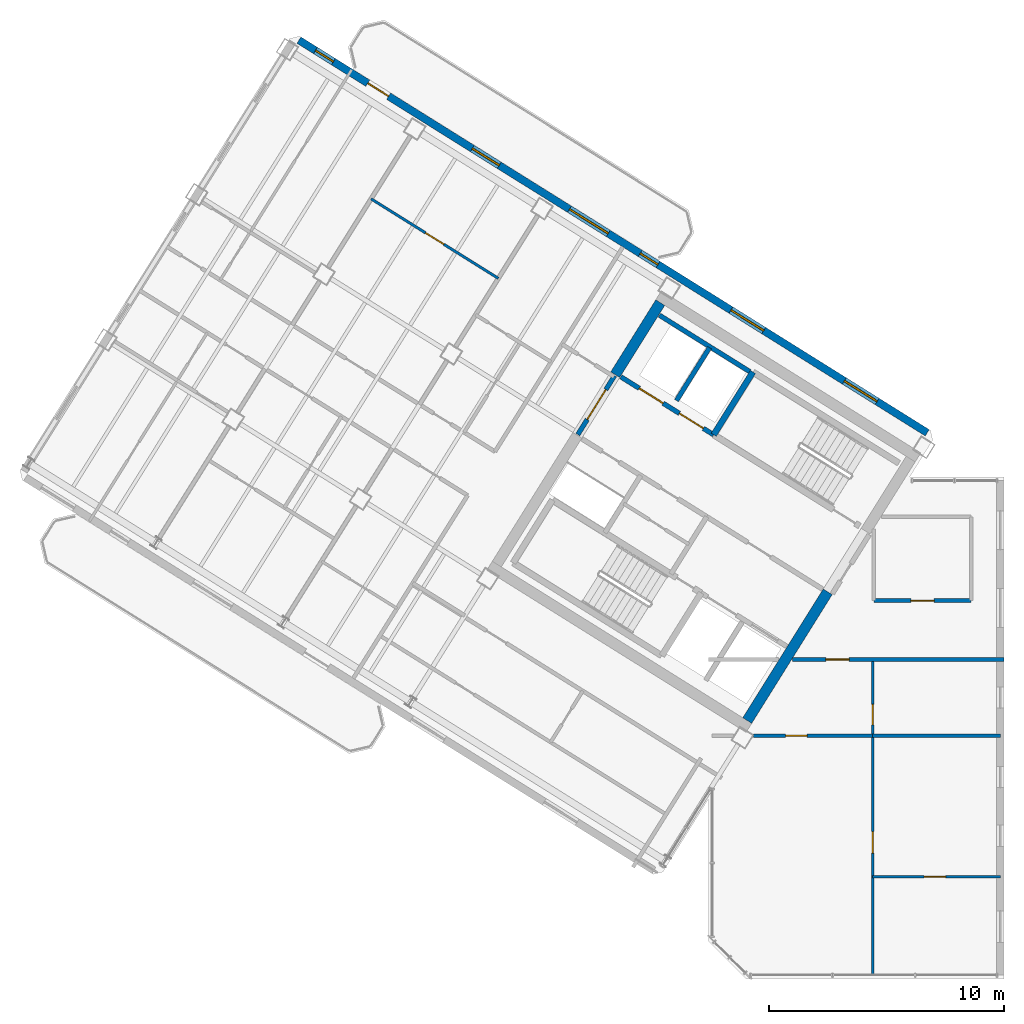
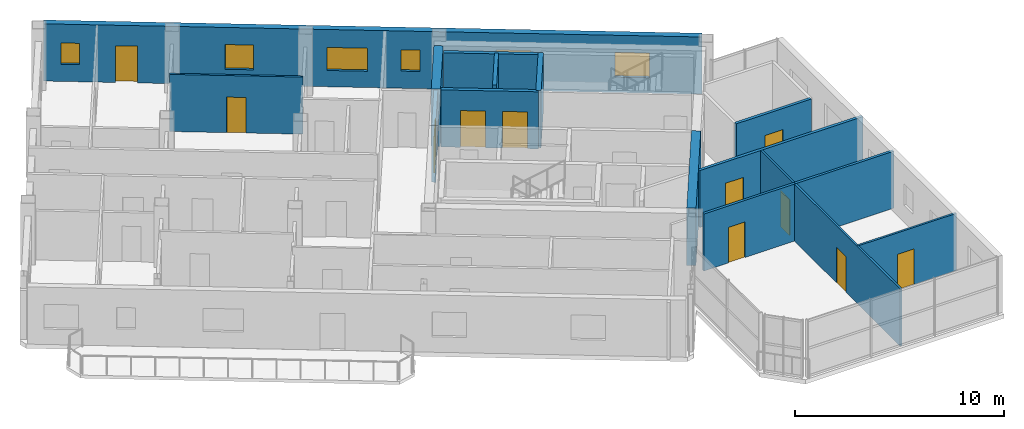
# One storey, part 10 of 14: 15 walls, 11 doors, 6 windows, 17 openings.
"""IFC4 building model written with IfcOpenShell, lengths in metres."""

from ifc_helpers import new_model, si_unit, direction, frame, frame_2d, origin, place, context, subcontext, project, spatial, rectangle, extrude, source, transform, mapped, material, layer, layer_set, type_object, element, fill, save


model = new_model("IFC4")

# Units and contexts
model_context = context("Model", 3, precision=1e-05, world=origin(), true_north=direction((0.0, 1.0)))
body_context = subcontext(model_context, "Body", "Model", "MODEL_VIEW")
ifc_project = project(units=[si_unit("LENGTHUNIT", "METRE"), si_unit("AREAUNIT", "SQUARE_METRE"), si_unit("VOLUMEUNIT", "CUBIC_METRE"), si_unit("PLANEANGLEUNIT", "RADIAN"), si_unit("MASSUNIT", "GRAM", prefix="KILO")], contexts=[model_context])

# Site, building, storey
site_placement = place(None, origin())
site = spatial("IfcSite", under=ifc_project, at=site_placement, CompositionType="ELEMENT")
building_placement = place(site_placement, origin())
building = spatial("IfcBuilding", under=site, at=building_placement, Name="Tlacorven Tower", CompositionType="ELEMENT")
storey_placement = place(building_placement, frame((0.0, 0.0, 273.60009765625)))
storey = spatial("IfcBuildingStorey", under=building, at=storey_placement, Name="L69", CompositionType="ELEMENT", Elevation=273.60009765625)

# Walls
ifc_material_1 = material(Name="Concrete C50/60", Category="concrete")
ifc_layer_1 = layer(ifc_material_1, 0.449951171875)
ifc_layer_set_1 = layer_set([ifc_layer_1], Name="Concrete C50/60")
wall_type_1 = type_object("IfcWallType", Name="WL-COR-450", PredefinedType="SHEAR", material=ifc_layer_set_1)
wall_1_placement = place(storey_placement, frame((36.683349609375, 18.30419921875, 0.0), z_axis=(0.0, 0.0, 1.0), x_axis=(-0.529904039071, -0.848057609704, 0.0)))
element("IfcWall", 1, at=wall_1_placement, inside=storey, type_object=wall_type_1, Name="L69 W core end wall E1.2", PredefinedType="SHEAR", context=body_context, shape_type="SweptSolid", body=[
    extrude(rectangle(XDim=6.47509765625, YDim=0.449951171875, at=frame_2d((3.237548828125, 0.0))), origin(), (0.0, 0.0, 1.0), 3.349853515625),
])
wall_2_placement = place(storey_placement, frame((29.543701171875, 30.636474609375, 0.0), z_axis=(0.0, 0.0, 1.0), x_axis=(-0.529902075036, -0.848058836916, 0.0)))
element("IfcWall", 2, at=wall_2_placement, inside=storey, type_object=wall_type_1, Name="L69 W core end wall E2.1", PredefinedType="SHEAR", context=body_context, shape_type="SweptSolid", body=[
    extrude(rectangle(XDim=3.625, YDim=0.449951171875, at=frame_2d((1.8125, 0.0))), origin(), (0.0, 0.0, 1.0), 3.349853515625),
])

# Wall, opening, door
ifc_material_2 = material(Name="Gypsum plasterboard acoustic partition", Category="gypsum")
ifc_layer_2 = layer(ifc_material_2, 0.159912109375)
ifc_layer_set_2 = layer_set([ifc_layer_2], Name="Gypsum plasterboard acoustic partition")
wall_type_2 = type_object("IfcWallType", Name="WL-DEM-160", PredefinedType="PARTITIONING", material=ifc_layer_set_2)
wall_3_placement = place(storey_placement, frame((35.178466796875, 15.419921875, 0.0), z_axis=(0.0, 0.0, 1.0), x_axis=(1.0, 0.0, 0.0)))
wall_3 = element("IfcWall", 3, at=wall_3_placement, inside=storey, type_object=wall_type_2, Name="L69 Knuckle Corridor South Wall", PredefinedType="PARTITIONING", context=body_context, shape_type="SweptSolid", body=[
    extrude(rectangle(XDim=9.021484375, YDim=0.159912109375, at=frame_2d((4.5107421875, 0.0))), origin(), (0.0, 0.0, 1.0), 3.33984375),
])
opening_1_placement = place(wall_3_placement, frame((1.421630859375, 0.0, 0.0)))
opening_1 = element("IfcOpeningElement", 4, at=opening_1_placement, cuts=wall_3, Name="Opening D11", PredefinedType="OPENING", context=body_context, shape_type="SweptSolid", body=[
    extrude(rectangle(XDim=1.0, YDim=2.10009765625, at=frame_2d((0.5, 1.050048828125))), frame((0.0, 0.08984375, 0.0), z_axis=(0.0, -1.0, 0.0), x_axis=(1.0, 0.0, 0.0)), (0.0, 0.0, 1.0), 0.179931640625),
])
ifc_material_3 = material(Name="Fire-rated steel door assembly", Category="steel")
door_type_1 = type_object("IfcDoorType", Name="DR-FLT-FD60-1000", OperationType="NOTDEFINED", PredefinedType="DOOR", material=ifc_material_3)
shared_shape_1 = source(origin(), body_context, "Body", "SweptSolid", [
    extrude(rectangle(XDim=1.0, YDim=2.10009765625, at=frame_2d((0.5, 1.050048828125))), frame((0.0, 0.02490234375, 0.0), z_axis=(0.0, -1.0, 0.0), x_axis=(1.0, 0.0, 0.0)), (0.0, 0.0, 1.0), 0.050048828125),
])
door_1_placement = place(opening_1_placement, frame((1.0, 0.0, 0.0), z_axis=(0.0, 0.0, 1.0), x_axis=(-1.0, 0.0, 0.0)))
door_1 = element("IfcDoor", 5, at=door_1_placement, inside=storey, type_object=door_type_1, Name="L69 door 040", OperationType="SINGLE_SWING_RIGHT", OverallHeight=2.10009765625, OverallWidth=1.0, PredefinedType="DOOR", context=body_context, shape_type="MappedRepresentation", body=[
    mapped(shared_shape_1, transform((0.0, 0.0, 0.0), scale=1.0)),
])
fill(opening_1, door_1)

wall_4_placement = place(storey_placement, frame((38.64990234375, 17.929931640625, 0.0), z_axis=(0.0, 0.0, 1.0), x_axis=(1.0, 0.0, 0.0)))
wall_4 = element("IfcWall", 6, at=wall_4_placement, inside=storey, type_object=wall_type_2, Name="L69 partition 51", PredefinedType="PARTITIONING", context=body_context, shape_type="SweptSolid", body=[
    extrude(rectangle(XDim=4.150146484375, YDim=0.159912109375, at=frame_2d((2.0751953125, 0.0))), origin(), (0.0, 0.0, 1.0), 3.33984375),
])
opening_2_placement = place(wall_4_placement, frame((1.574951171875, 0.0, 0.0)))
opening_2 = element("IfcOpeningElement", 7, at=opening_2_placement, cuts=wall_4, Name="Opening D11", PredefinedType="OPENING", context=body_context, shape_type="SweptSolid", body=[
    extrude(rectangle(XDim=1.0, YDim=2.10009765625, at=frame_2d((0.5, 1.050048828125))), frame((0.0, 0.08984375, 0.0), z_axis=(0.0, -1.0, 0.0), x_axis=(1.0, 0.0, 0.0)), (0.0, 0.0, 1.0), 0.179931640625),
])
door_2_placement = place(opening_2_placement, origin())
door_2 = element("IfcDoor", 8, at=door_2_placement, inside=storey, type_object=door_type_1, Name="L69 door 036", OperationType="SINGLE_SWING_LEFT", OverallHeight=2.10009765625, OverallWidth=1.0, PredefinedType="DOOR", context=body_context, shape_type="MappedRepresentation", body=[
    mapped(shared_shape_1, transform((0.0, 0.0, 0.0), scale=1.0)),
])
fill(opening_2, door_2)

# Wall, openings, door, windows
ifc_material_4 = material(Name="Precast concrete C45/55", Category="concrete")
ifc_layer_3 = layer(ifc_material_4, 0.320068359375)
ifc_layer_set_3 = layer_set([ifc_layer_3], Name="Precast concrete C45/55")
wall_type_3 = type_object("IfcWallType", Name="WL-EXT-320", PredefinedType="STANDARD", material=ifc_layer_set_3)
wall_5_placement = place(storey_placement, frame((14.13818359375, 41.825439453125, 0.0), z_axis=(0.0, 0.0, 1.0), x_axis=(0.848046498049, -0.529921821731, 0.0)))
wall_5 = element("IfcWall", 9, at=wall_5_placement, inside=storey, type_object=wall_type_3, Name="L69 Masonry-Frame Recessed Facade Wall 4", PredefinedType="STANDARD", context=body_context, shape_type="SweptSolid", body=[
    extrude(rectangle(XDim=31.587646484375, YDim=0.320068359375, at=frame_2d((15.7939453125, 0.0))), origin(), (0.0, 0.0, 1.0), 3.349853515625),
])
opening_3_placement = place(wall_5_placement, frame((3.4599609375, 0.0, 0.0)))
opening_3 = element("IfcOpeningElement", 10, at=opening_3_placement, cuts=wall_5, Name="Opening D06", PredefinedType="OPENING", context=body_context, shape_type="SweptSolid", body=[
    extrude(rectangle(XDim=1.050048828125, YDim=2.14990234375, at=frame_2d((0.52490234375, 1.074951171875))), frame((0.0, 0.169921875, 0.0), z_axis=(0.0, -1.0, 0.0), x_axis=(1.0, 0.0, 0.0)), (0.0, 0.0, 1.0), 0.340087890625),
])
opening_4_placement = place(wall_5_placement, frame((0.831298828125, 0.0, 1.0)))
opening_4 = element("IfcOpeningElement", 11, at=opening_4_placement, cuts=wall_5, Name="Opening WN05", PredefinedType="OPENING", context=body_context, shape_type="SweptSolid", body=[
    extrude(rectangle(XDim=0.89990234375, YDim=1.25, at=frame_2d((0.449951171875, 0.625))), frame((0.0, 0.169921875, 0.0), z_axis=(0.0, -1.0, 0.0), x_axis=(1.0, 0.0, 0.0)), (0.0, 0.0, 1.0), 0.340087890625),
])
opening_5_placement = place(wall_5_placement, frame((8.71875, 0.0, 0.89990234375)))
opening_5 = element("IfcOpeningElement", 12, at=opening_5_placement, cuts=wall_5, Name="Opening WN08", PredefinedType="OPENING", context=body_context, shape_type="SweptSolid", body=[
    extrude(rectangle(XDim=1.35009765625, YDim=1.449951171875, at=frame_2d((0.675048828125, 0.72509765625))), frame((0.0, 0.169921875, 0.0), z_axis=(0.0, -1.0, 0.0), x_axis=(1.0, 0.0, 0.0)), (0.0, 0.0, 1.0), 0.340087890625),
])
opening_6_placement = place(wall_5_placement, frame((13.5986328125, 0.0, 0.949951171875)))
opening_6 = element("IfcOpeningElement", 13, at=opening_6_placement, cuts=wall_5, Name="Opening WN09", PredefinedType="OPENING", context=body_context, shape_type="SweptSolid", body=[
    extrude(rectangle(XDim=1.949951171875, YDim=1.35009765625, at=frame_2d((0.97509765625, 0.675048828125))), frame((0.0, 0.169921875, 0.0), z_axis=(0.0, -1.0, 0.0), x_axis=(1.0, 0.0, 0.0)), (0.0, 0.0, 1.0), 0.340087890625),
])
opening_7_placement = place(wall_5_placement, frame((17.15380859375, 0.0, 1.0)))
opening_7 = element("IfcOpeningElement", 14, at=opening_7_placement, cuts=wall_5, Name="Opening WN05", PredefinedType="OPENING", context=body_context, shape_type="SweptSolid", body=[
    extrude(rectangle(XDim=0.89990234375, YDim=1.25, at=frame_2d((0.449951171875, 0.625))), frame((0.0, 0.169921875, 0.0), z_axis=(0.0, -1.0, 0.0), x_axis=(1.0, 0.0, 0.0)), (0.0, 0.0, 1.0), 0.340087890625),
])
opening_8_placement = place(wall_5_placement, frame((21.71875, 0.0, 0.89990234375)))
opening_8 = element("IfcOpeningElement", 15, at=opening_8_placement, cuts=wall_5, Name="Opening WN07", PredefinedType="OPENING", context=body_context, shape_type="SweptSolid", body=[
    extrude(rectangle(XDim=1.64990234375, YDim=1.449951171875, at=frame_2d((0.824951171875, 0.72509765625))), frame((0.0, 0.169921875, 0.0), z_axis=(0.0, -1.0, 0.0), x_axis=(1.0, 0.0, 0.0)), (0.0, 0.0, 1.0), 0.340087890625),
])
opening_9_placement = place(wall_5_placement, frame((27.418701171875, 0.0, 0.89990234375)))
opening_9 = element("IfcOpeningElement", 16, at=opening_9_placement, cuts=wall_5, Name="Opening WN07", PredefinedType="OPENING", context=body_context, shape_type="SweptSolid", body=[
    extrude(rectangle(XDim=1.64990234375, YDim=1.449951171875, at=frame_2d((0.824951171875, 0.72509765625))), frame((0.0, 0.169921875, 0.0), z_axis=(0.0, -1.0, 0.0), x_axis=(1.0, 0.0, 0.0)), (0.0, 0.0, 1.0), 0.340087890625),
])
ifc_material_5 = material(Name="Powder-coated aluminium and timber door", Category="wood")
door_type_2 = type_object("IfcDoorType", Name="DR-EXT-BALC-1050", OperationType="NOTDEFINED", PredefinedType="DOOR", material=ifc_material_5)
shared_shape_2 = source(origin(), body_context, "Body", "SweptSolid", [
    extrude(rectangle(XDim=1.050048828125, YDim=2.14990234375, at=frame_2d((0.52490234375, 1.074951171875))), frame((0.0, 0.02490234375, 0.0), z_axis=(0.0, -1.0, 0.0), x_axis=(1.0, 0.0, 0.0)), (0.0, 0.0, 1.0), 0.050048828125),
])
door_3_placement = place(opening_3_placement, origin())
door_3 = element("IfcDoor", 17, at=door_3_placement, inside=storey, type_object=door_type_2, Name="L69 Outdoor Access Door BAL-L69-W-IN", OperationType="SINGLE_SWING_RIGHT", OverallHeight=2.14990234375, OverallWidth=1.050048828125, PredefinedType="DOOR", context=body_context, shape_type="MappedRepresentation", body=[
    mapped(shared_shape_2, transform((0.0, 0.0, 0.0), scale=1.0)),
])
fill(opening_3, door_3)
ifc_material_6 = material(Name="Dark solar low-E double glazing in anodised aluminium frame", Category="aluminium")
window_type_1 = type_object("IfcWindowType", Name="WN-APT-0900X1350", PartitioningType="SINGLE_PANEL", PredefinedType="WINDOW", material=ifc_material_6)
shared_shape_3 = source(origin(), body_context, "Body", "SweptSolid", [
    extrude(rectangle(XDim=0.89990234375, YDim=1.25, at=frame_2d((0.449951171875, 0.625))), frame((0.0, 0.030029296875, 0.0), z_axis=(0.0, -1.0, 0.0), x_axis=(1.0, 0.0, 0.0)), (0.0, 0.0, 1.0), 0.06005859375),
])
window_1_placement = place(opening_4_placement, origin())
window_1 = element("IfcWindow", 18, at=window_1_placement, inside=storey, type_object=window_type_1, Name="L69 Recessed Masonry-Frame Window L69-04.1", OverallHeight=1.25, OverallWidth=0.89990234375, PartitioningType="SINGLE_PANEL", PredefinedType="WINDOW", context=body_context, shape_type="MappedRepresentation", body=[
    mapped(shared_shape_3, transform((0.0, 0.0, 0.0), scale=1.0)),
])
fill(opening_4, window_1)
window_2_placement = place(opening_7_placement, origin())
window_2 = element("IfcWindow", 19, at=window_2_placement, inside=storey, type_object=window_type_1, Name="L69 Recessed Masonry-Frame Window L69-04.4", OverallHeight=1.25, OverallWidth=0.89990234375, PartitioningType="SINGLE_PANEL", PredefinedType="WINDOW", context=body_context, shape_type="MappedRepresentation", body=[
    mapped(shared_shape_3, transform((0.0, 0.0, 0.0), scale=1.0)),
])
fill(opening_7, window_2)
window_type_2 = type_object("IfcWindowType", Name="WN-APT-1650X1600", PartitioningType="SINGLE_PANEL", PredefinedType="WINDOW", material=ifc_material_6)
shared_shape_4 = source(origin(), body_context, "Body", "SweptSolid", [
    extrude(rectangle(XDim=1.64990234375, YDim=1.449951171875, at=frame_2d((0.824951171875, 0.72509765625))), frame((0.0, 0.030029296875, 0.0), z_axis=(0.0, -1.0, 0.0), x_axis=(1.0, 0.0, 0.0)), (0.0, 0.0, 1.0), 0.06005859375),
])
window_3_placement = place(opening_8_placement, origin())
window_3 = element("IfcWindow", 20, at=window_3_placement, inside=storey, type_object=window_type_2, Name="L69 Recessed Masonry-Frame Window L69-04.5", OverallHeight=1.449951171875, OverallWidth=1.64990234375, PartitioningType="SINGLE_PANEL", PredefinedType="WINDOW", context=body_context, shape_type="MappedRepresentation", body=[
    mapped(shared_shape_4, transform((0.0, 0.0, 0.0), scale=1.0)),
])
fill(opening_8, window_3)
window_4_placement = place(opening_9_placement, origin())
window_4 = element("IfcWindow", 21, at=window_4_placement, inside=storey, type_object=window_type_2, Name="L69 Recessed Masonry-Frame Window L69-04.6", OverallHeight=1.449951171875, OverallWidth=1.64990234375, PartitioningType="SINGLE_PANEL", PredefinedType="WINDOW", context=body_context, shape_type="MappedRepresentation", body=[
    mapped(shared_shape_4, transform((0.0, 0.0, 0.0), scale=1.0)),
])
fill(opening_9, window_4)
window_type_3 = type_object("IfcWindowType", Name="WN-APT-1350X1550", PartitioningType="SINGLE_PANEL", PredefinedType="WINDOW", material=ifc_material_6)
shared_shape_5 = source(origin(), body_context, "Body", "SweptSolid", [
    extrude(rectangle(XDim=1.35009765625, YDim=1.449951171875, at=frame_2d((0.675048828125, 0.72509765625))), frame((0.0, 0.030029296875, 0.0), z_axis=(0.0, -1.0, 0.0), x_axis=(1.0, 0.0, 0.0)), (0.0, 0.0, 1.0), 0.06005859375),
])
window_5_placement = place(opening_5_placement, origin())
window_5 = element("IfcWindow", 22, at=window_5_placement, inside=storey, type_object=window_type_3, Name="L69 Recessed Masonry-Frame Window L69-04.2", OverallHeight=1.449951171875, OverallWidth=1.35009765625, PartitioningType="SINGLE_PANEL", PredefinedType="WINDOW", context=body_context, shape_type="MappedRepresentation", body=[
    mapped(shared_shape_5, transform((0.0, 0.0, 0.0), scale=1.0)),
])
fill(opening_5, window_5)
window_type_4 = type_object("IfcWindowType", Name="WN-GAL-1950X1450", PartitioningType="SINGLE_PANEL", PredefinedType="WINDOW", material=ifc_material_6)
shared_shape_6 = source(origin(), body_context, "Body", "SweptSolid", [
    extrude(rectangle(XDim=1.949951171875, YDim=1.35009765625, at=frame_2d((0.97509765625, 0.675048828125))), frame((0.0, 0.030029296875, 0.0), z_axis=(0.0, -1.0, 0.0), x_axis=(1.0, 0.0, 0.0)), (0.0, 0.0, 1.0), 0.06005859375),
])
window_6_placement = place(opening_6_placement, origin())
window_6 = element("IfcWindow", 23, at=window_6_placement, inside=storey, type_object=window_type_4, Name="L69 Recessed Masonry-Frame Window L69-04.3", OverallHeight=1.35009765625, OverallWidth=1.949951171875, PartitioningType="SINGLE_PANEL", PredefinedType="WINDOW", context=body_context, shape_type="MappedRepresentation", body=[
    mapped(shared_shape_6, transform((0.0, 0.0, 0.0), scale=1.0)),
])
fill(opening_6, window_6)

# Wall, opening, door
ifc_material_7 = material(Name="Gypsum plasterboard partition", Category="gypsum")
ifc_layer_4 = layer(ifc_material_7, 0.110107421875)
ifc_layer_set_4 = layer_set([ifc_layer_4], Name="Gypsum plasterboard partition")
wall_type_4 = type_object("IfcWallType", Name="WL-INT-110", PredefinedType="PARTITIONING", material=ifc_layer_set_4)
wall_6_placement = place(storey_placement, frame((22.6416015625, 31.66796875, 0.0), z_axis=(0.0, 0.0, 1.0), x_axis=(-0.84806687439, 0.529889211593, 0.0)))
wall_6 = element("IfcWall", 24, at=wall_6_placement, inside=storey, type_object=wall_type_4, Name="L69 partition 40", PredefinedType="PARTITIONING", context=body_context, shape_type="SweptSolid", body=[
    extrude(rectangle(XDim=6.400146484375, YDim=0.110107421875, at=frame_2d((3.2001953125, 0.0))), origin(), (0.0, 0.0, 1.0), 3.33984375),
])
opening_10_placement = place(wall_6_placement, frame((2.739990234375, 0.0, 0.0)))
opening_10 = element("IfcOpeningElement", 25, at=opening_10_placement, cuts=wall_6, Name="Opening D12", PredefinedType="OPENING", context=body_context, shape_type="SweptSolid", body=[
    extrude(rectangle(XDim=0.919921875, YDim=2.080078125, at=frame_2d((0.4599609375, 1.0400390625))), frame((0.0, 0.06494140625, 0.0), z_axis=(0.0, -1.0, 0.0), x_axis=(1.0, 0.0, 0.0)), (0.0, 0.0, 1.0), 0.130126953125),
])
door_type_3 = type_object("IfcDoorType", Name="DR-INT-ROOM-0920", OperationType="NOTDEFINED", PredefinedType="DOOR", material=ifc_material_5)
shared_shape_7 = source(origin(), body_context, "Body", "SweptSolid", [
    extrude(rectangle(XDim=0.919921875, YDim=2.080078125, at=frame_2d((0.4599609375, 1.0400390625))), frame((0.0, 0.02490234375, 0.0), z_axis=(0.0, -1.0, 0.0), x_axis=(1.0, 0.0, 0.0)), (0.0, 0.0, 1.0), 0.050048828125),
])
door_4_placement = place(opening_10_placement, origin())
door_4 = element("IfcDoor", 26, at=door_4_placement, inside=storey, type_object=door_type_3, Name="L69 door 027", OperationType="SINGLE_SWING_RIGHT", OverallHeight=2.080078125, OverallWidth=0.919921875, PredefinedType="DOOR", context=body_context, shape_type="MappedRepresentation", body=[
    mapped(shared_shape_7, transform((0.0, 0.0, 0.0), scale=1.0)),
])
fill(opening_10, door_4)

# Wall, openings, doors
wall_7_placement = place(storey_placement, frame((38.60009765625, 1.9599609375, 0.0), z_axis=(0.0, 0.0, 1.0), x_axis=(0.0, 1.0, 0.0)))
wall_7 = element("IfcWall", 27, at=wall_7_placement, inside=storey, type_object=wall_type_4, Name="L69 partition 55", PredefinedType="PARTITIONING", context=body_context, shape_type="SweptSolid", body=[
    extrude(rectangle(XDim=13.4599609375, YDim=0.110107421875, at=frame_2d((6.72998046875, 0.0))), origin(), (0.0, 0.0, 1.0), 3.33984375),
])
opening_11_placement = place(wall_7_placement, frame((5.199951171875, 0.0, 0.0)))
opening_11 = element("IfcOpeningElement", 28, at=opening_11_placement, cuts=wall_7, Name="Opening D12", PredefinedType="OPENING", context=body_context, shape_type="SweptSolid", body=[
    extrude(rectangle(XDim=0.919921875, YDim=2.080078125, at=frame_2d((0.4599609375, 1.0400390625))), frame((0.0, 0.06494140625, 0.0), z_axis=(0.0, -1.0, 0.0), x_axis=(1.0, 0.0, 0.0)), (0.0, 0.0, 1.0), 0.130126953125),
])
opening_12_placement = place(wall_7_placement, frame((10.669921875, 0.0, 0.0)))
opening_12 = element("IfcOpeningElement", 29, at=opening_12_placement, cuts=wall_7, Name="Opening D13", PredefinedType="OPENING", context=body_context, shape_type="SweptSolid", body=[
    extrude(rectangle(XDim=0.8798828125, YDim=2.080078125, at=frame_2d((0.43994140625, 1.0400390625))), frame((0.0, 0.06494140625, 0.0), z_axis=(0.0, -1.0, 0.0), x_axis=(1.0, 0.0, 0.0)), (0.0, 0.0, 1.0), 0.130126953125),
])
door_type_4 = type_object("IfcDoorType", Name="DR-INT-WET-0880", OperationType="NOTDEFINED", PredefinedType="DOOR", material=ifc_material_5)
shared_shape_8 = source(origin(), body_context, "Body", "SweptSolid", [
    extrude(rectangle(XDim=0.8798828125, YDim=2.080078125, at=frame_2d((0.43994140625, 1.0400390625))), frame((0.0, 0.02490234375, 0.0), z_axis=(0.0, -1.0, 0.0), x_axis=(1.0, 0.0, 0.0)), (0.0, 0.0, 1.0), 0.050048828125),
])
door_5_placement = place(opening_12_placement, origin())
door_5 = element("IfcDoor", 30, at=door_5_placement, inside=storey, type_object=door_type_4, Name="L69 door 042", OperationType="SINGLE_SWING_RIGHT", OverallHeight=2.080078125, OverallWidth=0.8798828125, PredefinedType="DOOR", context=body_context, shape_type="MappedRepresentation", body=[
    mapped(shared_shape_8, transform((0.0, 0.0, 0.0), scale=1.0)),
])
fill(opening_12, door_5)
door_6_placement = place(opening_11_placement, origin())
door_6 = element("IfcDoor", 31, at=door_6_placement, inside=storey, type_object=door_type_3, Name="L69 door 038", OperationType="SINGLE_SWING_RIGHT", OverallHeight=2.080078125, OverallWidth=0.919921875, PredefinedType="DOOR", context=body_context, shape_type="MappedRepresentation", body=[
    mapped(shared_shape_7, transform((0.0, 0.0, 0.0), scale=1.0)),
])
fill(opening_11, door_6)

# Wall, opening, door
wall_8_placement = place(storey_placement, frame((38.60009765625, 6.14990234375, 0.0), z_axis=(0.0, 0.0, 1.0), x_axis=(1.0, 0.0, 0.0)))
wall_8 = element("IfcWall", 32, at=wall_8_placement, inside=storey, type_object=wall_type_4, Name="L69 partition 58", PredefinedType="PARTITIONING", context=body_context, shape_type="SweptSolid", body=[
    extrude(rectangle(XDim=5.4599609375, YDim=0.110107421875, at=frame_2d((2.72998046875, 0.0))), origin(), (0.0, 0.0, 1.0), 3.33984375),
])
opening_13_placement = place(wall_8_placement, frame((2.18994140625, 0.0, 0.0)))
opening_13 = element("IfcOpeningElement", 33, at=opening_13_placement, cuts=wall_8, Name="Opening D12", PredefinedType="OPENING", context=body_context, shape_type="SweptSolid", body=[
    extrude(rectangle(XDim=0.919921875, YDim=2.080078125, at=frame_2d((0.4599609375, 1.0400390625))), frame((0.0, 0.06494140625, 0.0), z_axis=(0.0, -1.0, 0.0), x_axis=(1.0, 0.0, 0.0)), (0.0, 0.0, 1.0), 0.130126953125),
])
door_7_placement = place(opening_13_placement, origin())
door_7 = element("IfcDoor", 34, at=door_7_placement, inside=storey, type_object=door_type_3, Name="L69 door 039", OperationType="SINGLE_SWING_LEFT", OverallHeight=2.080078125, OverallWidth=0.919921875, PredefinedType="DOOR", context=body_context, shape_type="MappedRepresentation", body=[
    mapped(shared_shape_7, transform((0.0, 0.0, 0.0), scale=1.0)),
])
fill(opening_13, door_7)

ifc_material_8 = material(Name="Moisture-resistant gypsum plumbing wall", Category="gypsum")
ifc_layer_5 = layer(ifc_material_8, 0.139892578125)
ifc_layer_set_5 = layer_set([ifc_layer_5], Name="Moisture-resistant gypsum plumbing wall")
wall_type_5 = type_object("IfcWallType", Name="WL-PLM-140", PredefinedType="PLUMBINGWALL", material=ifc_layer_set_5)
wall_9_placement = place(storey_placement, frame((33.52490234375, 12.169921875, 0.0), z_axis=(0.0, 0.0, 1.0), x_axis=(1.0, 0.0, 0.0)))
wall_9 = element("IfcWall", 35, at=wall_9_placement, inside=storey, type_object=wall_type_5, Name="L69 partition 56", PredefinedType="PLUMBINGWALL", context=body_context, shape_type="SweptSolid", body=[
    extrude(rectangle(XDim=5.0751953125, YDim=0.139892578125, at=frame_2d((2.53759765625, 0.0))), origin(), (0.0, 0.0, 1.0), 3.33984375),
])
opening_14_placement = place(wall_9_placement, frame((1.364990234375, 0.0, 0.0)))
opening_14 = element("IfcOpeningElement", 36, at=opening_14_placement, cuts=wall_9, Name="Opening D12", PredefinedType="OPENING", context=body_context, shape_type="SweptSolid", body=[
    extrude(rectangle(XDim=0.919921875, YDim=2.080078125, at=frame_2d((0.4599609375, 1.0400390625))), frame((0.0, 0.080078125, 0.0), z_axis=(0.0, -1.0, 0.0), x_axis=(1.0, 0.0, 0.0)), (0.0, 0.0, 1.0), 0.159912109375),
])
door_8_placement = place(opening_14_placement, frame((0.919921875, 0.0, 0.0), z_axis=(0.0, 0.0, 1.0), x_axis=(-1.0, 0.0, 0.0)))
door_8 = element("IfcDoor", 37, at=door_8_placement, inside=storey, type_object=door_type_3, Name="L69 door 041", OperationType="SINGLE_SWING_LEFT", OverallHeight=2.080078125, OverallWidth=0.919921875, PredefinedType="DOOR", context=body_context, shape_type="MappedRepresentation", body=[
    mapped(shared_shape_7, transform((0.0, 0.0, 0.0), scale=1.0)),
])
fill(opening_14, door_8)

# Wall
wall_10_placement = place(storey_placement, frame((38.60009765625, 12.169921875, 0.0), z_axis=(0.0, 0.0, 1.0), x_axis=(1.0, 0.0, 0.0)))
element("IfcWall", 38, at=wall_10_placement, inside=storey, type_object=wall_type_5, Name="L69 partition 57", PredefinedType="PLUMBINGWALL", context=body_context, shape_type="SweptSolid", body=[
    extrude(rectangle(XDim=5.4599609375, YDim=0.139892578125, at=frame_2d((2.72998046875, 0.0))), origin(), (0.0, 0.0, 1.0), 3.33984375),
])

# Wall, openings, doors
ifc_material_9 = material(Name="Concrete C40/50", Category="concrete")
ifc_layer_6 = layer(ifc_material_9, 0.199951171875)
ifc_layer_set_6 = layer_set([ifc_layer_6], Name="Concrete C40/50")
wall_type_6 = type_object("IfcWallType", Name="WL-SHF-200", PredefinedType="STANDARD", material=ifc_layer_set_6)
wall_11_placement = place(storey_placement, frame((31.82177734375, 24.99755859375, 0.0), z_axis=(0.0, 0.0, 1.0), x_axis=(-0.848054125777, 0.529909614701, 0.0)))
wall_11 = element("IfcWall", 39, at=wall_11_placement, inside=storey, type_object=wall_type_6, Name="L69 Core W South Lift Shaft Wall", PredefinedType="STANDARD", context=body_context, shape_type="SweptSolid", body=[
    extrude(rectangle(XDim=4.66796875, YDim=0.199951171875, at=frame_2d((2.333984375, 0.0))), origin(), (0.0, 0.0, 1.0), 3.33984375),
])
opening_15_placement = place(wall_11_placement, frame((0.52001953125, 0.0, 0.0)))
opening_15 = element("IfcOpeningElement", 40, at=opening_15_placement, cuts=wall_11, Name="Opening LD02", PredefinedType="OPENING", context=body_context, shape_type="SweptSolid", body=[
    extrude(rectangle(XDim=1.199951171875, YDim=2.14990234375, at=frame_2d((0.60009765625, 1.074951171875))), frame((0.0, 0.10986328125, 0.0), z_axis=(0.0, -1.0, 0.0), x_axis=(1.0, 0.0, 0.0)), (0.0, 0.0, 1.0), 0.219970703125),
])
opening_16_placement = place(wall_11_placement, frame((2.5400390625, 0.0, 0.0)))
opening_16 = element("IfcOpeningElement", 41, at=opening_16_placement, cuts=wall_11, Name="Opening LD02", PredefinedType="OPENING", context=body_context, shape_type="SweptSolid", body=[
    extrude(rectangle(XDim=1.199951171875, YDim=2.14990234375, at=frame_2d((0.60009765625, 1.074951171875))), frame((0.0, 0.10986328125, 0.0), z_axis=(0.0, -1.0, 0.0), x_axis=(1.0, 0.0, 0.0)), (0.0, 0.0, 1.0), 0.219970703125),
])
door_type_5 = type_object("IfcDoorType", Name="DR-LFT-SLID-1200", OperationType="DOUBLE_DOOR_SLIDING", PredefinedType="DOOR", material=ifc_material_3)
shared_shape_9 = source(origin(), body_context, "Body", "SweptSolid", [
    extrude(rectangle(XDim=1.199951171875, YDim=2.14990234375, at=frame_2d((0.60009765625, 1.074951171875))), frame((0.0, 0.02490234375, 0.0), z_axis=(0.0, -1.0, 0.0), x_axis=(1.0, 0.0, 0.0)), (0.0, 0.0, 1.0), 0.050048828125),
])
door_9_placement = place(opening_15_placement, origin())
door_9 = element("IfcDoor", 42, at=door_9_placement, inside=storey, type_object=door_type_5, Name="L69 Lift PL-H1 Sliding Landing Door", OperationType="DOUBLE_DOOR_SLIDING", OverallHeight=2.14990234375, OverallWidth=1.199951171875, PredefinedType="DOOR", context=body_context, shape_type="MappedRepresentation", body=[
    mapped(shared_shape_9, transform((0.0, 0.0, 0.0), scale=1.0)),
])
fill(opening_15, door_9)
door_10_placement = place(opening_16_placement, origin())
door_10 = element("IfcDoor", 43, at=door_10_placement, inside=storey, type_object=door_type_5, Name="L69 Lift PL-H2 Sliding Landing Door", OperationType="DOUBLE_DOOR_SLIDING", OverallHeight=2.14990234375, OverallWidth=1.199951171875, PredefinedType="DOOR", context=body_context, shape_type="MappedRepresentation", body=[
    mapped(shared_shape_9, transform((0.0, 0.0, 0.0), scale=1.0)),
])
fill(opening_16, door_10)

# Walls
wall_12_placement = place(storey_placement, frame((31.645263671875, 28.716064453125, 0.0), z_axis=(0.0, 0.0, 1.0), x_axis=(-0.52986693015, -0.848080795876, 0.0)))
element("IfcWall", 44, at=wall_12_placement, inside=storey, type_object=wall_type_6, Name="L69 partition 12", PredefinedType="STANDARD", context=body_context, shape_type="SweptSolid", body=[
    extrude(rectangle(XDim=2.659912109375, YDim=0.199951171875, at=frame_2d((1.330078125, 0.0))), origin(), (0.0, 0.0, 1.0), 3.33984375),
])
wall_13_placement = place(storey_placement, frame((33.362548828125, 27.690185546875, 0.0), z_axis=(0.0, 0.0, 1.0), x_axis=(-0.84804957148, 0.529916903215, 0.0)))
element("IfcWall", 45, at=wall_13_placement, inside=storey, type_object=wall_type_6, Name="L69 partition 14", PredefinedType="STANDARD", context=body_context, shape_type="SweptSolid", body=[
    extrude(rectangle(XDim=4.547607421875, YDim=0.199951171875, at=frame_2d((2.27392578125, 0.0))), origin(), (0.0, 0.0, 1.0), 3.33984375),
])

# Wall, opening, door
wall_14_placement = place(storey_placement, frame((27.59619140625, 27.52001953125, 0.0), z_axis=(0.0, 0.0, 1.0), x_axis=(-0.529865479138, -0.848081702443, 0.0)))
wall_14 = element("IfcWall", 46, at=wall_14_placement, inside=storey, type_object=wall_type_6, Name="L69 partition 19", PredefinedType="STANDARD", context=body_context, shape_type="SweptSolid", body=[
    extrude(rectangle(XDim=2.9599609375, YDim=0.199951171875, at=frame_2d((1.47998046875, 0.0))), origin(), (0.0, 0.0, 1.0), 3.33984375),
])
opening_17_placement = place(wall_14_placement, frame((0.699951171875, 0.0, 0.0)))
opening_17 = element("IfcOpeningElement", 47, at=opening_17_placement, cuts=wall_14, Name="Opening D10", PredefinedType="OPENING", context=body_context, shape_type="SweptSolid", body=[
    extrude(rectangle(XDim=1.5, YDim=2.14990234375, at=frame_2d((0.75, 1.074951171875))), frame((0.0, 0.10986328125, 0.0), z_axis=(0.0, -1.0, 0.0), x_axis=(1.0, 0.0, 0.0)), (0.0, 0.0, 1.0), 0.219970703125),
])
door_type_6 = type_object("IfcDoorType", Name="DR-LOB-FD60-1500", OperationType="DOUBLE_DOOR_SINGLE_SWING", PredefinedType="DOOR", material=ifc_material_3)
shared_shape_10 = source(origin(), body_context, "Body", "SweptSolid", [
    extrude(rectangle(XDim=1.5, YDim=2.14990234375, at=frame_2d((0.75, 1.074951171875))), frame((0.0, 0.02490234375, 0.0), z_axis=(0.0, -1.0, 0.0), x_axis=(1.0, 0.0, 0.0)), (0.0, 0.0, 1.0), 0.050048828125),
])
door_11_placement = place(opening_17_placement, origin())
door_11 = element("IfcDoor", 48, at=door_11_placement, inside=storey, type_object=door_type_6, Name="L69 door 012", OperationType="DOUBLE_DOOR_SINGLE_SWING", OverallHeight=2.14990234375, OverallWidth=1.5, PredefinedType="DOOR", context=body_context, shape_type="MappedRepresentation", body=[
    mapped(shared_shape_10, transform((0.0, 0.0, 0.0), scale=1.0)),
])
fill(opening_17, door_11)

# Wall
ifc_layer_7 = layer(ifc_material_1, 0.260009765625)
ifc_layer_set_7 = layer_set([ifc_layer_7], Name="Concrete C50/60")
wall_type_7 = type_object("IfcWallType", Name="WL-STW-260", PredefinedType="SHEAR", material=ifc_layer_set_7)
wall_15_placement = place(storey_placement, frame((33.496337890625, 27.677490234375, 0.0), z_axis=(0.0, 0.0, 1.0), x_axis=(-0.529908658664, -0.84805472316, 0.0)))
element("IfcWall", 49, at=wall_15_placement, inside=storey, type_object=wall_type_7, Name="L69 Stair W2 East Shear Wall", PredefinedType="SHEAR", context=body_context, shape_type="SweptSolid", body=[
    extrude(rectangle(XDim=3.16015625, YDim=0.260009765625, at=frame_2d((1.580078125, 0.0))), origin(), (0.0, 0.0, 1.0), 3.349853515625),
])

save(model, "model.ifc")
